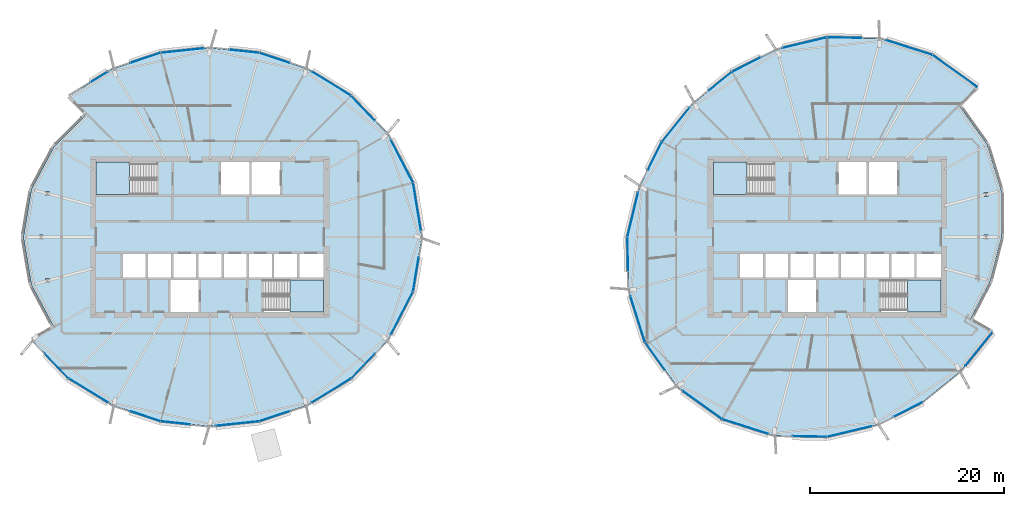
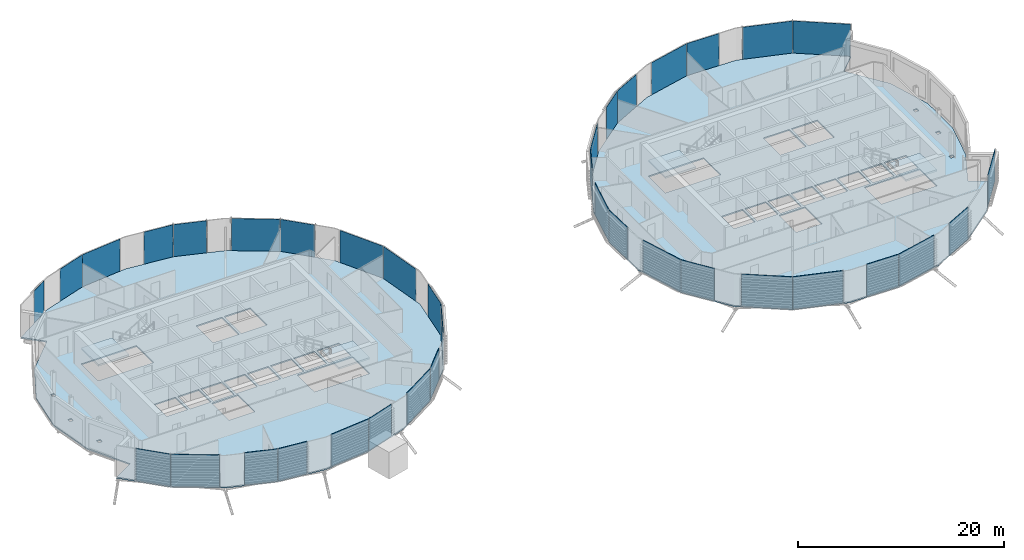
# One storey, part 18 of 38: 37 plates, 6 slabs, 6 elements without a shape of their own.
"""IFC4 building model written with IfcOpenShell, lengths in metres."""

import ifcopenshell
import ifcopenshell.guid

model = None  # the IFC model being written
_history = None  # IfcOwnerHistory: only IFC2X3 demands one
_inside = {}  # id of a spatial element -> (the spatial element, [elements in it])
_under = {}  # id of a project, library or spatial element -> (it, [spatial elements below it])
_declared = {}  # id of a project -> (the project, [libraries it declares])
_typed = {}  # id of a type object -> (the type object, [elements of that type])
_made_of = {}  # id of a material, layer set ... -> (it, [elements and type objects made of it])


def new_model(schema):
    """Start an empty IFC model of exactly this schema.

    Asked for "IFC4X3", IfcOpenShell would pick the latest addendum, in which some entities
    have other attributes; the version numbers below select the first issue.
    IFC2X3 requires an IfcOwnerHistory on every rooted entity: one is made here for all.
    """
    global model, _history
    if schema == "IFC4X3":
        model = ifcopenshell.file(schema_version=(4, 3, 0, 0))
    else:
        model = ifcopenshell.file(schema=schema)
    _inside.clear()
    _under.clear()
    _declared.clear()
    _typed.clear()
    _made_of.clear()
    _history = None
    if model.schema == "IFC2X3":
        org = make("IfcOrganization", Name="unknown")
        user = make(
            "IfcPersonAndOrganization",
            ThePerson=make("IfcPerson", FamilyName="unknown"),
            TheOrganization=org,
        )
        app = make(
            "IfcApplication",
            ApplicationDeveloper=org,
            Version="unknown",
            ApplicationFullName="unknown",
            ApplicationIdentifier="unknown",
        )
        _history = make(
            "IfcOwnerHistory",
            OwningUser=user,
            OwningApplication=app,
            ChangeAction="ADDED",
            CreationDate=0,
        )
    return model


def make(cls, **values):
    """One entity of the class cls with the attributes given. An attribute that is None is left unset."""
    return model.create_entity(
        cls, **{name: value for name, value in values.items() if value is not None}
    )


def rooted(cls, **values):
    """An entity with a GlobalId (a new one), such as an element, a storey or a relation."""
    return make(cls, GlobalId=ifcopenshell.guid.new(), OwnerHistory=_history, **values)


def si_unit(unit_type, name, prefix=None):
    """IfcSIUnit, for example si_unit("LENGTHUNIT", "METRE", prefix="MILLI")."""
    return make("IfcSIUnit", UnitType=unit_type, Prefix=prefix, Name=name)


def assignment(units):
    """IfcUnitAssignment: the units of a project."""
    return None if units is None else make("IfcUnitAssignment", Units=units)


def point(xyz):
    """IfcCartesianPoint."""
    return None if xyz is None else make("IfcCartesianPoint", Coordinates=xyz)


def direction(xyz):
    """IfcDirection."""
    return None if xyz is None else make("IfcDirection", DirectionRatios=xyz)


def frame(location, z_axis=None, x_axis=None):
    """IfcAxis2Placement3D, a coordinate frame: its origin and axes. An axis left out is left unset."""
    return make(
        "IfcAxis2Placement3D",
        Location=point(location),
        Axis=direction(z_axis),
        RefDirection=direction(x_axis),
    )


def frame_2d(location, x_axis=None):
    """IfcAxis2Placement2D, a coordinate frame in the plane: its origin and x axis."""
    return make(
        "IfcAxis2Placement2D", Location=point(location), RefDirection=direction(x_axis)
    )


def origin():
    """The frame at (0, 0, 0) with its axes left unset."""
    return frame((0.0, 0.0, 0.0))


def origin_2d():
    """The frame at (0, 0) in the plane with its x axis left unset."""
    return frame_2d((0.0, 0.0))


def place(relative_to, where):
    """IfcLocalPlacement: puts the frame where relative to a parent placement (None: the world)."""
    return make(
        "IfcLocalPlacement", PlacementRelTo=relative_to, RelativePlacement=where
    )


def context(
    kind, dimensions, precision=None, world=None, true_north=None, identifier=None
):
    """IfcGeometricRepresentationContext, for example the 3D "Model" context."""
    return make(
        "IfcGeometricRepresentationContext",
        ContextIdentifier=identifier,
        ContextType=kind,
        CoordinateSpaceDimension=dimensions,
        Precision=precision,
        WorldCoordinateSystem=world,
        TrueNorth=true_north,
    )


def subcontext(parent, identifier, kind, view, scale=None):
    """IfcGeometricRepresentationSubContext, for example "Body" below "Model"."""
    return make(
        "IfcGeometricRepresentationSubContext",
        ContextIdentifier=identifier,
        ContextType=kind,
        ParentContext=parent,
        TargetScale=scale,
        TargetView=view,
    )


def project(units=None, contexts=None):
    """IfcProject with its units and contexts."""
    return rooted(
        "IfcProject",
        Name="project",
        RepresentationContexts=contexts,
        UnitsInContext=assignment(units),
    )


def spatial(cls, under=None, at=None, **own):
    """A site, building, storey or space (cls), placed at a placement, below another one or the project."""
    s = rooted(cls, ObjectPlacement=at, **own)
    if under is not None:
        _under.setdefault(under.id(), (under, []))[1].append(s)
    return s


def polyline(points):
    """IfcPolyline through the points."""
    return make("IfcPolyline", Points=[point(p) for p in points])


def profile(cls, at=None, kind="AREA", **sizes):
    """A parametric profile (cls). Its sizes go by their IFC names, for example OverallWidth=200.0."""
    return make(cls, ProfileType=kind, Position=at, **sizes)


def rectangle(**sizes):
    """IfcRectangleProfileDef."""
    return profile("IfcRectangleProfileDef", **sizes)


def outline(outer, holes=None, kind="AREA"):
    """IfcArbitraryClosedProfileDef: a profile drawn as a closed curve; with holes, ...WithVoids."""
    if holes is None:
        return make("IfcArbitraryClosedProfileDef", ProfileType=kind, OuterCurve=outer)
    return make(
        "IfcArbitraryProfileDefWithVoids",
        ProfileType=kind,
        OuterCurve=outer,
        InnerCurves=holes,
    )


def extrude(swept, where, along, depth):
    """IfcExtrudedAreaSolid: the profile swept, set in the frame where, extruded along a direction by depth."""
    return make(
        "IfcExtrudedAreaSolid",
        SweptArea=swept,
        Position=where,
        ExtrudedDirection=direction(along),
        Depth=depth,
    )


def shape(context_of_items, identifier, shape_type, items):
    """IfcShapeRepresentation: the items that make up one representation, for example the "Body"."""
    return make(
        "IfcShapeRepresentation",
        ContextOfItems=context_of_items,
        RepresentationIdentifier=identifier,
        RepresentationType=shape_type,
        Items=items,
    )


def material(Name=None, Category=None):
    """IfcMaterial."""
    return make("IfcMaterial", Name=Name, Category=Category)


def layer(
    of_material, thickness, ventilated=None, Name=None, Category=None, Priority=None
):
    """IfcMaterialLayer: one layer of a wall or slab, of a material (None: an air gap)."""
    return make(
        "IfcMaterialLayer",
        Material=of_material,
        LayerThickness=thickness,
        IsVentilated=ventilated,
        Name=Name,
        Category=Category,
        Priority=Priority,
    )


def layer_set(layers, Name=None):
    """IfcMaterialLayerSet."""
    return make("IfcMaterialLayerSet", MaterialLayers=layers, LayerSetName=Name)


def made_of(thing, what):
    """Note that an element or type object is made of a material, layer set ...; save() writes the relation."""
    if what is not None:
        _made_of.setdefault(what.id(), (what, []))[1].append(thing)
    return thing


def type_object(cls, material=None, **own):
    """A type object (cls), such as IfcWallType, which elements share."""
    return made_of(rooted(cls, **own), material)


def element(
    cls,
    number,
    at=None,
    inside=None,
    cuts=None,
    type_object=None,
    material=None,
    context=None,
    identifier="Body",
    shape_type=None,
    held_by="IfcProductDefinitionShape",
    body=None,
    shapes=None,
    **own,
):
    """One element of the class cls, such as IfcWall. Its Tag is "e" and its number.

    at: its placement. inside: the storey or other place that contains it. cuts: it is an
    opening in that element (IfcRelVoidsElement). A single representation is given by context,
    identifier, shape_type and body (its items); several are given by shapes. held_by: the class
    of the entity that holds the representations. save() writes the other relations.
    """
    e = rooted(cls, Tag="e%d" % number, ObjectPlacement=at, **own)
    if body is not None:
        shapes = [shape(context, identifier, shape_type, body)]
    if shapes is not None:
        e.Representation = make(held_by, Representations=shapes)
    if inside is not None:
        _inside.setdefault(inside.id(), (inside, []))[1].append(e)
    if cuts is not None:
        rooted(
            "IfcRelVoidsElement", RelatingBuildingElement=cuts, RelatedOpeningElement=e
        )
    if type_object is not None:
        _typed.setdefault(type_object.id(), (type_object, []))[1].append(e)
    return made_of(e, material)


def aggregate(whole, parts):
    """IfcRelAggregates: a whole, such as a stair, and the parts it consists of."""
    return rooted("IfcRelAggregates", RelatingObject=whole, RelatedObjects=parts)


def save(model, path):
    """Write the relations noted so far, then the file.

    IfcRelAggregates (storeys below a building ...), IfcRelContainedInSpatialStructure (elements
    in a storey), IfcRelDefinesByType, IfcRelAssociatesMaterial and IfcRelDeclares: one each for
    every whole, place, type object, material and project.
    """
    for whole, parts in _under.values():
        aggregate(whole, parts)
    for where, things in _inside.values():
        rooted(
            "IfcRelContainedInSpatialStructure",
            RelatedElements=things,
            RelatingStructure=where,
        )
    for kind, things in _typed.values():
        rooted("IfcRelDefinesByType", RelatedObjects=things, RelatingType=kind)
    for what, things in _made_of.values():
        rooted("IfcRelAssociatesMaterial", RelatedObjects=things, RelatingMaterial=what)
    for by, libraries in _declared.values():
        rooted("IfcRelDeclares", RelatingContext=by, RelatedDefinitions=libraries)
    model.write(path)


model = new_model("IFC4")

# Units and contexts
model_context = context("Model", 3, precision=1e-05, world=origin(), true_north=direction((0.0, 1.0)))
body_context = subcontext(model_context, "Body", "Model", "MODEL_VIEW")
ifc_project = project(units=[si_unit("LENGTHUNIT", "METRE"), si_unit("AREAUNIT", "SQUARE_METRE"), si_unit("VOLUMEUNIT", "CUBIC_METRE"), si_unit("PLANEANGLEUNIT", "RADIAN"), si_unit("MASSUNIT", "GRAM", prefix="KILO")], contexts=[model_context])

# Site, building, storey
site_placement = place(None, origin())
site = spatial("IfcSite", under=ifc_project, at=site_placement, CompositionType="ELEMENT")
building_placement = place(site_placement, origin())
building = spatial("IfcBuilding", under=site, at=building_placement, Name="Rimbun Link Towers", CompositionType="ELEMENT")
storey_placement = place(building_placement, frame((0.0, 0.0, 185.5)))
storey = spatial("IfcBuildingStorey", under=building, at=storey_placement, Name="L45", CompositionType="ELEMENT", Elevation=185.5)

# Slabs
ifc_material_1 = material(Name="Concrete C35/45", Category="concrete")
ifc_layer_1 = layer(ifc_material_1, 0.14990234375)
ifc_layer_set_1 = layer_set([ifc_layer_1], Name="COMPOSITE FLOOR 150")
slab_type_1 = type_object("IfcSlabType", Name="COMPOSITE FLOOR 150", PredefinedType="FLOOR", material=ifc_layer_set_1)
slab_1_placement = place(storey_placement, frame((0.0, 0.0, -0.14990234375)))
element("IfcSlab", 1, at=slab_1_placement, inside=storey, type_object=slab_type_1, Name="Floor slab T1 L45", PredefinedType="FLOOR", context=body_context, shape_type="SweptSolid", body=[
    extrude(outline(polyline([(-41.739013671875, 17.301513671875), (-36.822509765625, 18.930908203125), (-31.75, 19.465087890625), (-26.677490234375, 18.930908203125), (-21.760986328125, 17.301513671875), (-17.230224609375, 14.519775390625), (-13.443115234375, 10.569580078125), (-10.868896484375, 5.594970703125), (-9.948974609375, 0.0), (-10.868896484375, -5.594970703125), (-13.443115234375, -10.569580078125), (-17.230224609375, -14.519775390625), (-21.760986328125, -17.301513671875), (-26.677490234375, -18.930908203125), (-31.75, -19.465087890625), (-36.822509765625, -18.930908203125), (-41.739013671875, -17.301513671875), (-46.269775390625, -14.519775390625), (-50.056884765625, -10.569580078125), (-47.805419921875, -9.26953125), (-50.11962890625, -4.922119140625), (-50.950927734375, 0.0), (-50.11962890625, 4.922119140625), (-47.805419921875, 9.26953125), (-44.431396484375, 12.681396484375), (-46.269775390625, 14.519775390625), (-41.739013671875, 17.301513671875)]), holes=[polyline([(-32.89990234375, -7.699951171875), (-32.89990234375, -4.39990234375), (-35.800048828125, -4.39990234375), (-35.800048828125, -7.699951171875), (-32.89990234375, -7.699951171875)]), polyline([(-48.250732421875, -4.671630859375), (-48.250732421875, -4.278076171875), (-48.64990234375, -4.278076171875), (-48.64990234375, -4.671630859375), (-48.250732421875, -4.671630859375)]), polyline([(-38.361083984375, -4.14990234375), (-38.361083984375, -1.75), (-40.70556640625, -1.75), (-40.70556640625, -4.14990234375), (-38.361083984375, -4.14990234375)]), polyline([(-35.7666015625, -4.14990234375), (-35.7666015625, -1.75), (-38.111083984375, -1.75), (-38.111083984375, -4.14990234375), (-35.7666015625, -4.14990234375)]), polyline([(-33.172119140625, -4.14990234375), (-33.172119140625, -1.75), (-35.5166015625, -1.75), (-35.5166015625, -4.14990234375), (-33.172119140625, -4.14990234375)]), polyline([(-48.896728515625, -0.19677734375), (-48.896728515625, 0.19677734375), (-49.295654296875, 0.19677734375), (-49.295654296875, -0.19677734375), (-48.896728515625, -0.19677734375)]), polyline([(-48.250732421875, 4.278076171875), (-48.250732421875, 4.671630859375), (-48.64990234375, 4.671630859375), (-48.64990234375, 4.278076171875), (-48.250732421875, 4.278076171875)]), polyline([(-37.260009765625, 4.39990234375), (-37.260009765625, 7.699951171875), (-43.449951171875, 7.699951171875), (-43.449951171875, 4.39990234375), (-37.260009765625, 4.39990234375)]), polyline([(-20.050048828125, -7.699951171875), (-20.050048828125, -4.39990234375), (-26.239990234375, -4.39990234375), (-26.239990234375, -7.699951171875), (-20.050048828125, -7.699951171875)]), polyline([(-30.577880859375, -4.14990234375), (-30.577880859375, -1.75), (-32.922119140625, -1.75), (-32.922119140625, -4.14990234375), (-30.577880859375, -4.14990234375)]), polyline([(-27.9833984375, -4.14990234375), (-27.9833984375, -1.75), (-30.327880859375, -1.75), (-30.327880859375, -4.14990234375), (-27.9833984375, -4.14990234375)]), polyline([(-25.388916015625, -4.14990234375), (-25.388916015625, -1.75), (-27.7333984375, -1.75), (-27.7333984375, -4.14990234375), (-25.388916015625, -4.14990234375)]), polyline([(-22.79443359375, -4.14990234375), (-22.79443359375, -1.75), (-25.138916015625, -1.75), (-25.138916015625, -4.14990234375), (-22.79443359375, -4.14990234375)]), polyline([(-20.050048828125, -4.14990234375), (-20.050048828125, -1.75), (-22.54443359375, -1.75), (-22.54443359375, -4.14990234375), (-20.050048828125, -4.14990234375)]), polyline([(-27.699951171875, 4.39990234375), (-27.699951171875, 7.699951171875), (-30.60009765625, 7.699951171875), (-30.60009765625, 4.39990234375), (-27.699951171875, 4.39990234375)]), polyline([(-24.550048828125, 4.39990234375), (-24.550048828125, 7.699951171875), (-27.449951171875, 7.699951171875), (-27.449951171875, 4.39990234375), (-24.550048828125, 4.39990234375)])]), origin(), (0.0, 0.0, 1.0), 0.14990234375),
])
slab_2_placement = place(storey_placement, frame((0.0, 0.0, -0.14990234375)))
element("IfcSlab", 2, at=slab_2_placement, inside=storey, type_object=slab_type_1, Name="Floor slab T2 L45", PredefinedType="FLOOR", context=body_context, shape_type="SweptSolid", body=[
    extrude(outline(polyline([(45.513916015625, -13.763916015625), (41.54931640625, -16.972900390625), (36.920654296875, -19.297607421875), (31.75, -20.5341796875), (26.27880859375, -20.418701171875), (20.941162109375, -18.721435546875), (16.33447265625, -15.41552734375), (13.028564453125, -10.808837890625), (11.331298828125, -5.47119140625), (11.2158203125, 0.0), (12.452392578125, 5.170654296875), (14.777099609375, 9.79931640625), (17.986083984375, 13.763916015625), (21.95068359375, 16.972900390625), (26.579345703125, 19.297607421875), (31.75, 20.5341796875), (37.22119140625, 20.418701171875), (42.558837890625, 18.721435546875), (47.16552734375, 15.41552734375), (45.3271484375, 13.5771484375), (48.2197265625, 9.5087890625), (49.657470703125, 4.79833984375), (49.68408203125, 0.0), (48.5361328125, -4.497802734375), (46.471435546875, -8.49951171875), (48.722900390625, -9.79931640625), (45.513916015625, -13.763916015625)]), holes=[polyline([(30.60009765625, -7.699951171875), (30.60009765625, -4.39990234375), (27.699951171875, -4.39990234375), (27.699951171875, -7.699951171875), (30.60009765625, -7.699951171875)]), polyline([(25.138916015625, -4.14990234375), (25.138916015625, -1.75), (22.79443359375, -1.75), (22.79443359375, -4.14990234375), (25.138916015625, -4.14990234375)]), polyline([(27.7333984375, -4.14990234375), (27.7333984375, -1.75), (25.388916015625, -1.75), (25.388916015625, -4.14990234375), (27.7333984375, -4.14990234375)]), polyline([(30.327880859375, -4.14990234375), (30.327880859375, -1.75), (27.9833984375, -1.75), (27.9833984375, -4.14990234375), (30.327880859375, -4.14990234375)]), polyline([(32.922119140625, -4.14990234375), (32.922119140625, -1.75), (30.577880859375, -1.75), (30.577880859375, -4.14990234375), (32.922119140625, -4.14990234375)]), polyline([(35.5166015625, -4.14990234375), (35.5166015625, -1.75), (33.172119140625, -1.75), (33.172119140625, -4.14990234375), (35.5166015625, -4.14990234375)]), polyline([(26.239990234375, 4.39990234375), (26.239990234375, 7.699951171875), (20.050048828125, 7.699951171875), (20.050048828125, 4.39990234375), (26.239990234375, 4.39990234375)]), polyline([(35.800048828125, 4.39990234375), (35.800048828125, 7.699951171875), (32.89990234375, 7.699951171875), (32.89990234375, 4.39990234375), (35.800048828125, 4.39990234375)]), polyline([(43.449951171875, -7.699951171875), (43.449951171875, -4.39990234375), (37.260009765625, -4.39990234375), (37.260009765625, -7.699951171875), (43.449951171875, -7.699951171875)]), polyline([(47.38330078125, -4.332275390625), (47.38330078125, -3.938720703125), (46.984375, -3.938720703125), (46.984375, -4.332275390625), (47.38330078125, -4.332275390625)]), polyline([(38.111083984375, -4.14990234375), (38.111083984375, -1.75), (35.7666015625, -1.75), (35.7666015625, -4.14990234375), (38.111083984375, -4.14990234375)]), polyline([(40.70556640625, -4.14990234375), (40.70556640625, -1.75), (38.361083984375, -1.75), (38.361083984375, -4.14990234375), (40.70556640625, -4.14990234375)]), polyline([(43.449951171875, -4.14990234375), (43.449951171875, -1.75), (40.95556640625, -1.75), (40.95556640625, -4.14990234375), (43.449951171875, -4.14990234375)]), polyline([(48.278076171875, -0.19677734375), (48.278076171875, 0.19677734375), (47.879150390625, 0.19677734375), (47.879150390625, -0.19677734375), (48.278076171875, -0.19677734375)]), polyline([(48.2783203125, 4.178466796875), (48.2783203125, 4.572021484375), (47.87939453125, 4.572021484375), (47.87939453125, 4.178466796875), (48.2783203125, 4.178466796875)]), polyline([(38.949951171875, 4.39990234375), (38.949951171875, 7.699951171875), (36.050048828125, 7.699951171875), (36.050048828125, 4.39990234375), (38.949951171875, 4.39990234375)])]), origin(), (0.0, 0.0, 1.0), 0.14990234375),
])

# Curtain wall, plates
ifc_material_2 = material(Name="Aluminium 6063-T6 and low-iron glass", Category="aluminium")
curtain_wall_type = type_object("IfcCurtainWallType", Name="CW1-Z3 unitised vision wall (zone 3)", PredefinedType="NOTDEFINED", material=ifc_material_2)
curtain_wall_1_placement = place(storey_placement, origin())
curtain_wall_1 = element("IfcCurtainWall", 3, at=curtain_wall_1_placement, inside=storey, type_object=curtain_wall_type, Name="CW1 L45 T1", PredefinedType="NOTDEFINED")
ifc_material_3 = material(Name="Low-iron glass, laminated low-e unit", Category="glass")
ifc_layer_2 = layer(ifc_material_3, 0.028076171875)
ifc_layer_set_2 = layer_set([ifc_layer_2], Name="CW1 panel Low-iron glass 28")
plate_type = type_object("IfcPlateType", Name="CW1 panel Low-iron glass 28", PredefinedType="CURTAIN_PANEL", material=ifc_layer_set_2)
plate_1_placement = place(storey_placement, frame((-10.447998046875, 3.120361328125, 0.0), z_axis=(0.0, 0.0, 1.0), x_axis=(0.162253647337, -0.98674908357, 0.0)))
plate_1 = element("IfcPlate", 4, at=plate_1_placement, type_object=plate_type, Name="CW1 panel", PredefinedType="CURTAIN_PANEL", context=body_context, shape_type="SweptSolid", body=[
    extrude(rectangle(XDim=4.980224609375, YDim=0.028076171875, at=origin_2d()), origin(), (0.0, 0.0, 1.0), 3.800048828125),
])
plate_2_placement = place(storey_placement, frame((-12.005615234375, 7.822265625, 0.0), z_axis=(0.0, 0.0, 1.0), x_axis=(0.459554053094, -0.88814980284, 0.0)))
plate_2 = element("IfcPlate", 5, at=plate_2_placement, type_object=plate_type, Name="CW1 panel", PredefinedType="CURTAIN_PANEL", context=body_context, shape_type="SweptSolid", body=[
    extrude(rectangle(XDim=4.961181640625, YDim=0.028076171875, at=origin_2d()), origin(), (0.0, 0.0, 1.0), 3.800048828125),
])
plate_3_placement = place(storey_placement, frame((-16.001220703125, 13.25830078125, 0.0), z_axis=(0.0, 0.0, 1.0), x_axis=(0.692056960795, -0.721842893583, 0.0)))
plate_3 = element("IfcPlate", 6, at=plate_3_placement, type_object=plate_type, Name="CW1 panel", PredefinedType="CURTAIN_PANEL", context=body_context, shape_type="SweptSolid", body=[
    extrude(rectangle(XDim=3.482421875, YDim=0.028076171875, at=origin_2d()), origin(), (0.0, 0.0, 1.0), 3.800048828125),
])
plate_4_placement = place(storey_placement, frame((-19.25390625, 15.77880859375, 0.0), z_axis=(0.0, 0.0, 1.0), x_axis=(0.852188735381, -0.523234516531, 0.0)))
plate_4 = element("IfcPlate", 7, at=plate_4_placement, type_object=plate_type, Name="CW1 panel", PredefinedType="CURTAIN_PANEL", context=body_context, shape_type="SweptSolid", body=[
    extrude(rectangle(XDim=4.7265625, YDim=0.028076171875, at=origin_2d()), origin(), (0.0, 0.0, 1.0), 3.800048828125),
])
plate_5_placement = place(storey_placement, frame((-25.0927734375, 18.42041015625, 0.0), z_axis=(0.0, 0.0, 1.0), x_axis=(0.949235945561, -0.314564968894, 0.0)))
plate_5 = element("IfcPlate", 8, at=plate_5_placement, type_object=plate_type, Name="CW1 panel", PredefinedType="CURTAIN_PANEL", context=body_context, shape_type="SweptSolid", body=[
    extrude(rectangle(XDim=3.28955078125, YDim=0.028076171875, at=origin_2d()), origin(), (0.0, 0.0, 1.0), 3.800048828125),
])
plate_6_placement = place(storey_placement, frame((-28.2177734375, 19.107177734375, 0.0), z_axis=(0.0, 0.0, 1.0), x_axis=(0.994498252868, -0.104753162451, 0.0)))
plate_6 = element("IfcPlate", 9, at=plate_6_placement, type_object=plate_type, Name="CW1 panel", PredefinedType="CURTAIN_PANEL", context=body_context, shape_type="SweptSolid", body=[
    extrude(rectangle(XDim=3.060546875, YDim=0.028076171875, at=origin_2d()), origin(), (0.0, 0.0, 1.0), 3.800048828125),
])
plate_7_placement = place(storey_placement, frame((-34.586181640625, 19.1806640625, 0.0), z_axis=(0.0, 0.0, 1.0), x_axis=(0.994498252868, 0.104753162451, 0.0)))
plate_7 = element("IfcPlate", 10, at=plate_7_placement, type_object=plate_type, Name="CW1 panel", PredefinedType="CURTAIN_PANEL", context=body_context, shape_type="SweptSolid", body=[
    extrude(rectangle(XDim=4.46044921875, YDim=0.028076171875, at=origin_2d()), origin(), (0.0, 0.0, 1.0), 3.800048828125),
])
plate_8_placement = place(storey_placement, frame((-38.383544921875, 18.428466796875, 0.0), z_axis=(0.0, 0.0, 1.0), x_axis=(0.949235945561, 0.314564968894, 0.0)))
plate_8 = element("IfcPlate", 11, at=plate_8_placement, type_object=plate_type, Name="CW1 panel", PredefinedType="CURTAIN_PANEL", context=body_context, shape_type="SweptSolid", body=[
    extrude(rectangle(XDim=3.239501953125, YDim=0.028076171875, at=origin_2d()), origin(), (0.0, 0.0, 1.0), 3.800048828125),
])
plate_9_placement = place(storey_placement, frame((-43.13818359375, 16.458984375, 0.0), z_axis=(0.0, 0.0, 1.0), x_axis=(0.852188735381, 0.523234516531, 0.0)))
plate_9 = element("IfcPlate", 12, at=plate_9_placement, type_object=plate_type, Name="CW1 panel", PredefinedType="CURTAIN_PANEL", context=body_context, shape_type="SweptSolid", body=[
    extrude(rectangle(XDim=2.026611328125, YDim=0.028076171875, at=origin_2d()), origin(), (0.0, 0.0, 1.0), 3.800048828125),
])
plate_10_placement = place(storey_placement, frame((-47.498779296875, -13.25830078125, 0.0), z_axis=(0.0, 0.0, 1.0), x_axis=(-0.692056960795, 0.721842893583, 0.0)))
plate_10 = element("IfcPlate", 13, at=plate_10_placement, type_object=plate_type, Name="CW1 panel", PredefinedType="CURTAIN_PANEL", context=body_context, shape_type="SweptSolid", body=[
    extrude(rectangle(XDim=3.482421875, YDim=0.028076171875, at=origin_2d()), origin(), (0.0, 0.0, 1.0), 3.800048828125),
])
plate_11_placement = place(storey_placement, frame((-44.24609375, -15.77880859375, 0.0), z_axis=(0.0, 0.0, 1.0), x_axis=(-0.852188735381, 0.523234516531, 0.0)))
plate_11 = element("IfcPlate", 14, at=plate_11_placement, type_object=plate_type, Name="CW1 panel", PredefinedType="CURTAIN_PANEL", context=body_context, shape_type="SweptSolid", body=[
    extrude(rectangle(XDim=4.7265625, YDim=0.028076171875, at=origin_2d()), origin(), (0.0, 0.0, 1.0), 3.800048828125),
])
plate_12_placement = place(storey_placement, frame((-38.4072265625, -18.42041015625, 0.0), z_axis=(0.0, 0.0, 1.0), x_axis=(-0.949235945561, 0.314564968894, 0.0)))
plate_12 = element("IfcPlate", 15, at=plate_12_placement, type_object=plate_type, Name="CW1 panel", PredefinedType="CURTAIN_PANEL", context=body_context, shape_type="SweptSolid", body=[
    extrude(rectangle(XDim=3.28955078125, YDim=0.028076171875, at=origin_2d()), origin(), (0.0, 0.0, 1.0), 3.800048828125),
])
plate_13_placement = place(storey_placement, frame((-35.2822265625, -19.107177734375, 0.0), z_axis=(0.0, 0.0, 1.0), x_axis=(-0.994498252868, 0.104753162451, 0.0)))
plate_13 = element("IfcPlate", 16, at=plate_13_placement, type_object=plate_type, Name="CW1 panel", PredefinedType="CURTAIN_PANEL", context=body_context, shape_type="SweptSolid", body=[
    extrude(rectangle(XDim=3.060546875, YDim=0.028076171875, at=origin_2d()), origin(), (0.0, 0.0, 1.0), 3.800048828125),
])
plate_14_placement = place(storey_placement, frame((-28.913818359375, -19.1806640625, 0.0), z_axis=(0.0, 0.0, 1.0), x_axis=(-0.994498252868, -0.104753162451, 0.0)))
plate_14 = element("IfcPlate", 17, at=plate_14_placement, type_object=plate_type, Name="CW1 panel", PredefinedType="CURTAIN_PANEL", context=body_context, shape_type="SweptSolid", body=[
    extrude(rectangle(XDim=4.46044921875, YDim=0.028076171875, at=origin_2d()), origin(), (0.0, 0.0, 1.0), 3.800048828125),
])
plate_15_placement = place(storey_placement, frame((-25.0927734375, -18.42041015625, 0.0), z_axis=(0.0, 0.0, 1.0), x_axis=(-0.949235945561, -0.314564968894, 0.0)))
plate_15 = element("IfcPlate", 18, at=plate_15_placement, type_object=plate_type, Name="CW1 panel", PredefinedType="CURTAIN_PANEL", context=body_context, shape_type="SweptSolid", body=[
    extrude(rectangle(XDim=3.28955078125, YDim=0.028076171875, at=origin_2d()), origin(), (0.0, 0.0, 1.0), 3.800048828125),
])
plate_16_placement = place(storey_placement, frame((-19.25390625, -15.77880859375, 0.0), z_axis=(0.0, 0.0, 1.0), x_axis=(-0.852188735381, -0.523234516531, 0.0)))
plate_16 = element("IfcPlate", 19, at=plate_16_placement, type_object=plate_type, Name="CW1 panel", PredefinedType="CURTAIN_PANEL", context=body_context, shape_type="SweptSolid", body=[
    extrude(rectangle(XDim=4.7265625, YDim=0.028076171875, at=origin_2d()), origin(), (0.0, 0.0, 1.0), 3.800048828125),
])
plate_17_placement = place(storey_placement, frame((-16.001220703125, -13.25830078125, 0.0), z_axis=(0.0, 0.0, 1.0), x_axis=(-0.692056960795, -0.721842893583, 0.0)))
plate_17 = element("IfcPlate", 20, at=plate_17_placement, type_object=plate_type, Name="CW1 panel", PredefinedType="CURTAIN_PANEL", context=body_context, shape_type="SweptSolid", body=[
    extrude(rectangle(XDim=3.482421875, YDim=0.028076171875, at=origin_2d()), origin(), (0.0, 0.0, 1.0), 3.800048828125),
])
plate_18_placement = place(storey_placement, frame((-12.005615234375, -7.822265625, 0.0), z_axis=(0.0, 0.0, 1.0), x_axis=(-0.459554053094, -0.88814980284, 0.0)))
plate_18 = element("IfcPlate", 21, at=plate_18_placement, type_object=plate_type, Name="CW1 panel", PredefinedType="CURTAIN_PANEL", context=body_context, shape_type="SweptSolid", body=[
    extrude(rectangle(XDim=4.961181640625, YDim=0.028076171875, at=origin_2d()), origin(), (0.0, 0.0, 1.0), 3.800048828125),
])
plate_19_placement = place(storey_placement, frame((-10.565673828125, -3.8359375, 0.0), z_axis=(0.0, 0.0, 1.0), x_axis=(-0.162253647337, -0.98674908357, 0.0)))
plate_19 = element("IfcPlate", 22, at=plate_19_placement, type_object=plate_type, Name="CW1 panel", PredefinedType="CURTAIN_PANEL", context=body_context, shape_type="SweptSolid", body=[
    extrude(rectangle(XDim=3.530029296875, YDim=0.028076171875, at=origin_2d()), origin(), (0.0, 0.0, 1.0), 3.800048828125),
])
aggregate(curtain_wall_1, [plate_1, plate_2, plate_3, plate_4, plate_5, plate_6, plate_7, plate_8, plate_9, plate_10, plate_11, plate_12, plate_13, plate_14, plate_15, plate_16, plate_17, plate_18, plate_19])

curtain_wall_2_placement = place(storey_placement, origin())
curtain_wall_2 = element("IfcCurtainWall", 23, at=curtain_wall_2_placement, inside=storey, type_object=curtain_wall_type, Name="CW1 L45 T2", PredefinedType="NOTDEFINED")
plate_20_placement = place(storey_placement, frame((44.870361328125, 17.079833984375, 0.0), z_axis=(0.0, 0.0, 1.0), x_axis=(0.81246124987, -0.583015194879, 0.0)))
plate_20 = element("IfcPlate", 24, at=plate_20_placement, type_object=plate_type, Name="CW1 panel", PredefinedType="CURTAIN_PANEL", context=body_context, shape_type="SweptSolid", body=[
    extrude(rectangle(XDim=5.630126953125, YDim=0.028076171875, at=origin_2d()), origin(), (0.0, 0.0, 1.0), 3.800048828125),
])
plate_21_placement = place(storey_placement, frame((40.18017578125, 19.492431640625, 0.0), z_axis=(0.0, 0.0, 1.0), x_axis=(0.95297360206, -0.303053318374, 0.0)))
plate_21 = element("IfcPlate", 25, at=plate_21_placement, type_object=plate_type, Name="CW1 panel", PredefinedType="CURTAIN_PANEL", context=body_context, shape_type="SweptSolid", body=[
    extrude(rectangle(XDim=4.9609375, YDim=0.028076171875, at=origin_2d()), origin(), (0.0, 0.0, 1.0), 3.800048828125),
])
plate_22_placement = place(storey_placement, frame((33.5361328125, 20.510498046875, 0.0), z_axis=(0.0, 0.0, 1.0), x_axis=(0.999778017463, -0.02106930936, 0.0)))
plate_22 = element("IfcPlate", 26, at=plate_22_placement, type_object=plate_type, Name="CW1 panel", PredefinedType="CURTAIN_PANEL", context=body_context, shape_type="SweptSolid", body=[
    extrude(rectangle(XDim=3.532470703125, YDim=0.028076171875, at=origin_2d()), origin(), (0.0, 0.0, 1.0), 3.800048828125),
])
plate_23_placement = place(storey_placement, frame((29.453125, 19.999267578125, 0.0), z_axis=(0.0, 0.0, 1.0), x_axis=(0.972573434414, 0.232596033225, 0.0)))
plate_23 = element("IfcPlate", 27, at=plate_23_placement, type_object=plate_type, Name="CW1 panel", PredefinedType="CURTAIN_PANEL", context=body_context, shape_type="SweptSolid", body=[
    extrude(rectangle(XDim=4.676513671875, YDim=0.028076171875, at=origin_2d()), origin(), (0.0, 0.0, 1.0), 3.800048828125),
])
plate_24_placement = place(storey_placement, frame((23.43212890625, 17.732666015625, 0.0), z_axis=(0.0, 0.0, 1.0), x_axis=(0.893641971467, 0.448780599884, 0.0)))
plate_24 = element("IfcPlate", 28, at=plate_24_placement, type_object=plate_type, Name="CW1 panel", PredefinedType="CURTAIN_PANEL", context=body_context, shape_type="SweptSolid", body=[
    extrude(rectangle(XDim=3.28955078125, YDim=0.028076171875, at=origin_2d()), origin(), (0.0, 0.0, 1.0), 3.800048828125),
])
plate_25_placement = place(storey_placement, frame((20.756103515625, 16.024169921875, 0.0), z_axis=(0.0, 0.0, 1.0), x_axis=(0.777286873483, 0.629146339344, 0.0)))
plate_25 = element("IfcPlate", 29, at=plate_25_placement, type_object=plate_type, Name="CW1 panel", PredefinedType="CURTAIN_PANEL", context=body_context, shape_type="SweptSolid", body=[
    extrude(rectangle(XDim=3.010498046875, YDim=0.028076171875, at=origin_2d()), origin(), (0.0, 0.0, 1.0), 3.800048828125),
])
plate_26_placement = place(storey_placement, frame((16.181884765625, 11.557373046875, 0.0), z_axis=(0.0, 0.0, 1.0), x_axis=(0.629146339344, 0.777286873483, 0.0)))
plate_26 = element("IfcPlate", 30, at=plate_26_placement, type_object=plate_type, Name="CW1 panel", PredefinedType="CURTAIN_PANEL", context=body_context, shape_type="SweptSolid", body=[
    extrude(rectangle(XDim=4.46044921875, YDim=0.028076171875, at=origin_2d()), origin(), (0.0, 0.0, 1.0), 3.800048828125),
])
plate_27_placement = place(storey_placement, frame((14.028564453125, 8.34033203125, 0.0), z_axis=(0.0, 0.0, 1.0), x_axis=(0.448780599884, 0.893641971467, 0.0)))
plate_27 = element("IfcPlate", 31, at=plate_27_placement, type_object=plate_type, Name="CW1 panel", PredefinedType="CURTAIN_PANEL", context=body_context, shape_type="SweptSolid", body=[
    extrude(rectangle(XDim=3.239501953125, YDim=0.028076171875, at=origin_2d()), origin(), (0.0, 0.0, 1.0), 3.800048828125),
])
plate_28_placement = place(storey_placement, frame((11.756591796875, 2.321044921875, 0.0), z_axis=(0.0, 0.0, 1.0), x_axis=(0.232596033225, 0.972573434414, 0.0)))
plate_28 = element("IfcPlate", 32, at=plate_28_placement, type_object=plate_type, Name="CW1 panel", PredefinedType="CURTAIN_PANEL", context=body_context, shape_type="SweptSolid", body=[
    extrude(rectangle(XDim=4.7265625, YDim=0.028076171875, at=origin_2d()), origin(), (0.0, 0.0, 1.0), 3.800048828125),
])
plate_29_placement = place(storey_placement, frame((11.239013671875, -1.76123046875, 0.0), z_axis=(0.0, 0.0, 1.0), x_axis=(-0.02106930936, 0.999778017463, 0.0)))
plate_29 = element("IfcPlate", 33, at=plate_29_placement, type_object=plate_type, Name="CW1 panel", PredefinedType="CURTAIN_PANEL", context=body_context, shape_type="SweptSolid", body=[
    extrude(rectangle(XDim=3.482421875, YDim=0.028076171875, at=origin_2d()), origin(), (0.0, 0.0, 1.0), 3.800048828125),
])
plate_30_placement = place(storey_placement, frame((12.257568359375, -8.43017578125, 0.0), z_axis=(0.0, 0.0, 1.0), x_axis=(-0.303053318374, 0.95297360206, 0.0)))
plate_30 = element("IfcPlate", 34, at=plate_30_placement, type_object=plate_type, Name="CW1 panel", PredefinedType="CURTAIN_PANEL", context=body_context, shape_type="SweptSolid", body=[
    extrude(rectangle(XDim=4.9609375, YDim=0.028076171875, at=origin_2d()), origin(), (0.0, 0.0, 1.0), 3.800048828125),
])
plate_31_placement = place(storey_placement, frame((14.057861328125, -12.267333984375, 0.0), z_axis=(0.0, 0.0, 1.0), x_axis=(-0.583015194879, 0.81246124987, 0.0)))
plate_31 = element("IfcPlate", 35, at=plate_31_placement, type_object=plate_type, Name="CW1 panel", PredefinedType="CURTAIN_PANEL", context=body_context, shape_type="SweptSolid", body=[
    extrude(rectangle(XDim=3.5302734375, YDim=0.028076171875, at=origin_2d()), origin(), (0.0, 0.0, 1.0), 3.800048828125),
])
plate_32_placement = place(storey_placement, frame((18.893798828125, -17.269287109375, 0.0), z_axis=(0.0, 0.0, 1.0), x_axis=(-0.81246124987, 0.583015194879, 0.0)))
plate_32 = element("IfcPlate", 36, at=plate_32_placement, type_object=plate_type, Name="CW1 panel", PredefinedType="CURTAIN_PANEL", context=body_context, shape_type="SweptSolid", body=[
    extrude(rectangle(XDim=4.980224609375, YDim=0.028076171875, at=origin_2d()), origin(), (0.0, 0.0, 1.0), 3.800048828125),
])
plate_33_placement = place(storey_placement, frame((23.31982421875, -19.492431640625, 0.0), z_axis=(0.0, 0.0, 1.0), x_axis=(-0.95297360206, 0.303053318374, 0.0)))
plate_33 = element("IfcPlate", 37, at=plate_33_placement, type_object=plate_type, Name="CW1 panel", PredefinedType="CURTAIN_PANEL", context=body_context, shape_type="SweptSolid", body=[
    extrude(rectangle(XDim=4.9609375, YDim=0.028076171875, at=origin_2d()), origin(), (0.0, 0.0, 1.0), 3.800048828125),
])
plate_34_placement = place(storey_placement, frame((29.9638671875, -20.510498046875, 0.0), z_axis=(0.0, 0.0, 1.0), x_axis=(-0.999778017463, 0.02106930936, 0.0)))
plate_34 = element("IfcPlate", 38, at=plate_34_placement, type_object=plate_type, Name="CW1 panel", PredefinedType="CURTAIN_PANEL", context=body_context, shape_type="SweptSolid", body=[
    extrude(rectangle(XDim=3.532470703125, YDim=0.028076171875, at=origin_2d()), origin(), (0.0, 0.0, 1.0), 3.800048828125),
])
plate_35_placement = place(storey_placement, frame((34.046875, -19.999267578125, 0.0), z_axis=(0.0, 0.0, 1.0), x_axis=(-0.972573434414, -0.232596033225, 0.0)))
plate_35 = element("IfcPlate", 39, at=plate_35_placement, type_object=plate_type, Name="CW1 panel", PredefinedType="CURTAIN_PANEL", context=body_context, shape_type="SweptSolid", body=[
    extrude(rectangle(XDim=4.676513671875, YDim=0.028076171875, at=origin_2d()), origin(), (0.0, 0.0, 1.0), 3.800048828125),
])
plate_36_placement = place(storey_placement, frame((40.06787109375, -17.732666015625, 0.0), z_axis=(0.0, 0.0, 1.0), x_axis=(-0.893641971467, -0.448780599884, 0.0)))
plate_36 = element("IfcPlate", 40, at=plate_36_placement, type_object=plate_type, Name="CW1 panel", PredefinedType="CURTAIN_PANEL", context=body_context, shape_type="SweptSolid", body=[
    extrude(rectangle(XDim=3.28955078125, YDim=0.028076171875, at=origin_2d()), origin(), (0.0, 0.0, 1.0), 3.800048828125),
])
plate_37_placement = place(storey_placement, frame((47.333740234375, -11.537841796875, 0.0), z_axis=(0.0, 0.0, 1.0), x_axis=(-0.629146339344, -0.777286873483, 0.0)))
plate_37 = element("IfcPlate", 41, at=plate_37_placement, type_object=plate_type, Name="CW1 panel", PredefinedType="CURTAIN_PANEL", context=body_context, shape_type="SweptSolid", body=[
    extrude(rectangle(XDim=4.41064453125, YDim=0.028076171875, at=origin_2d()), origin(), (0.0, 0.0, 1.0), 3.800048828125),
])
aggregate(curtain_wall_2, [plate_20, plate_21, plate_22, plate_23, plate_24, plate_25, plate_26, plate_27, plate_28, plate_29, plate_30, plate_31, plate_32, plate_33, plate_34, plate_35, plate_36, plate_37])

# Stair, slab
ifc_material_4 = material(Name="Concrete C40/50", Category="concrete")
stair_type = type_object("IfcStairType", Name="Exit stair 3800 rise", PredefinedType="HALF_TURN_STAIR", material=ifc_material_4)
stair_1_placement = place(storey_placement, origin())
stair_1 = element("IfcStair", 42, at=stair_1_placement, inside=storey, type_object=stair_type, Name="L45 EXIT STAIR A", PredefinedType="HALF_TURN_STAIR")
ifc_material_5 = material(Name="Concrete C40/50", Category="concrete")
ifc_layer_3 = layer(ifc_material_5, 0.199951171875)
ifc_layer_set_3 = layer_set([ifc_layer_3], Name="Stair landing")
slab_type_2 = type_object("IfcSlabType", Name="Stair landing", PredefinedType="LANDING", material=ifc_layer_set_3)
slab_3_placement = place(storey_placement, frame((0.0, 0.0, 1.699951171875)))
slab_3 = element("IfcSlab", 43, at=slab_3_placement, type_object=slab_type_2, Name="ST1 landing 1", PredefinedType="LANDING", context=body_context, shape_type="SweptSolid", body=[
    extrude(outline(polyline([(-40.0, 7.699951171875), (-43.449951171875, 7.699951171875), (-43.449951171875, 4.39990234375), (-40.0, 4.39990234375), (-40.0, 7.699951171875)])), origin(), (0.0, 0.0, 1.0), 0.199951171875),
])
aggregate(stair_1, [slab_3])

stair_2_placement = place(storey_placement, origin())
stair_2 = element("IfcStair", 44, at=stair_2_placement, inside=storey, type_object=stair_type, Name="L45 EXIT STAIR B", PredefinedType="HALF_TURN_STAIR")
slab_4_placement = place(storey_placement, frame((0.0, 0.0, 1.699951171875)))
slab_4 = element("IfcSlab", 45, at=slab_4_placement, type_object=slab_type_2, Name="ST2 landing 1", PredefinedType="LANDING", context=body_context, shape_type="SweptSolid", body=[
    extrude(outline(polyline([(-23.5, -7.699951171875), (-20.050048828125, -7.699951171875), (-20.050048828125, -4.39990234375), (-23.5, -4.39990234375), (-23.5, -7.699951171875)])), origin(), (0.0, 0.0, 1.0), 0.199951171875),
])
aggregate(stair_2, [slab_4])

stair_3_placement = place(storey_placement, origin())
stair_3 = element("IfcStair", 46, at=stair_3_placement, inside=storey, type_object=stair_type, Name="L45 EXIT STAIR A", PredefinedType="HALF_TURN_STAIR")
slab_5_placement = place(storey_placement, frame((0.0, 0.0, 1.699951171875)))
slab_5 = element("IfcSlab", 47, at=slab_5_placement, type_object=slab_type_2, Name="ST3 landing 1", PredefinedType="LANDING", context=body_context, shape_type="SweptSolid", body=[
    extrude(outline(polyline([(23.5, 7.699951171875), (20.050048828125, 7.699951171875), (20.050048828125, 4.39990234375), (23.5, 4.39990234375), (23.5, 7.699951171875)])), origin(), (0.0, 0.0, 1.0), 0.199951171875),
])
aggregate(stair_3, [slab_5])

stair_4_placement = place(storey_placement, origin())
stair_4 = element("IfcStair", 48, at=stair_4_placement, inside=storey, type_object=stair_type, Name="L45 EXIT STAIR B", PredefinedType="HALF_TURN_STAIR")
slab_6_placement = place(storey_placement, frame((0.0, 0.0, 1.699951171875)))
slab_6 = element("IfcSlab", 49, at=slab_6_placement, type_object=slab_type_2, Name="ST4 landing 1", PredefinedType="LANDING", context=body_context, shape_type="SweptSolid", body=[
    extrude(outline(polyline([(40.0, -7.699951171875), (43.449951171875, -7.699951171875), (43.449951171875, -4.39990234375), (40.0, -4.39990234375), (40.0, -7.699951171875)])), origin(), (0.0, 0.0, 1.0), 0.199951171875),
])
aggregate(stair_4, [slab_6])

save(model, "model.ifc")
